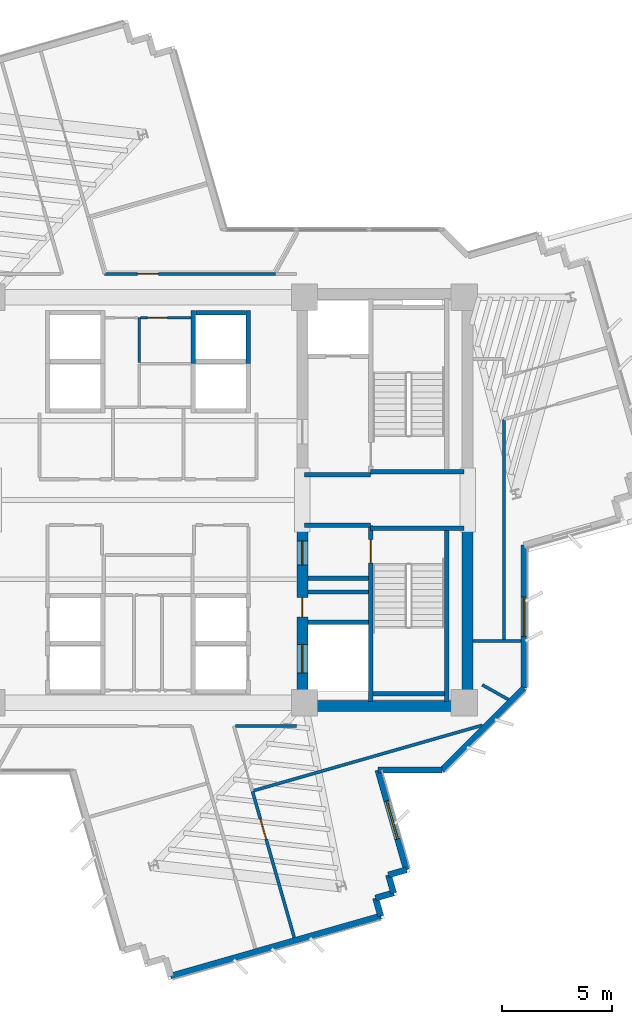
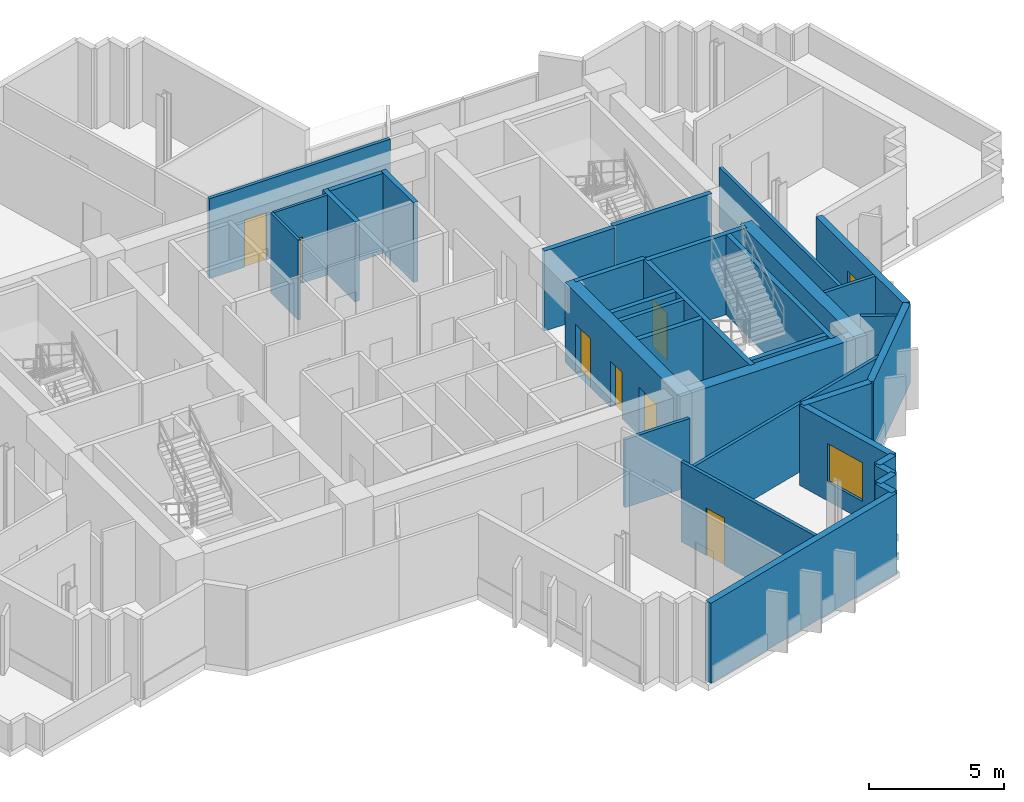
# One storey, part 9 of 14: 34 walls, 7 doors, 2 windows, 9 openings.
"""IFC4 building model written with IfcOpenShell, lengths in metres."""

from ifc_helpers import new_model, si_unit, direction, frame, frame_2d, origin, place, context, subcontext, project, spatial, rectangle, extrude, source, transform, mapped, material, layer, layer_set, type_object, element, fill, save


model = new_model("IFC4")

# Units and contexts
model_context = context("Model", 3, precision=1e-05, world=origin(), true_north=direction((0.0, 1.0)))
body_context = subcontext(model_context, "Body", "Model", "MODEL_VIEW")
ifc_project = project(units=[si_unit("LENGTHUNIT", "METRE"), si_unit("AREAUNIT", "SQUARE_METRE"), si_unit("VOLUMEUNIT", "CUBIC_METRE"), si_unit("PLANEANGLEUNIT", "RADIAN"), si_unit("MASSUNIT", "GRAM", prefix="KILO")], contexts=[model_context])

# Site, building, storey
site_placement = place(None, origin())
site = spatial("IfcSite", under=ifc_project, at=site_placement, CompositionType="ELEMENT")
building_placement = place(site_placement, origin())
building = spatial("IfcBuilding", under=site, at=building_placement, Name="Zahravan Cultural Tower", CompositionType="ELEMENT")
storey_placement = place(building_placement, frame((0.0, 0.0, 201.89990234375)))
storey = spatial("IfcBuildingStorey", under=building, at=storey_placement, Name="L47", CompositionType="ELEMENT", Elevation=201.89990234375)

# Wall, openings, doors
ifc_material_1 = material(Name="Concrete C60/75", Category="concrete")
ifc_layer_1 = layer(ifc_material_1, 0.5)
ifc_layer_set_1 = layer_set([ifc_layer_1], Name="Concrete C60/75")
wall_type_1 = type_object("IfcWallType", Name="CW-SHEAR-500-C60", PredefinedType="SHEAR", material=ifc_layer_set_1)
wall_1_placement = place(storey_placement, frame((43.0, 17.39990234375, 0.0), z_axis=(0.0, 0.0, 1.0), x_axis=(0.0, 1.0, 0.0)))
wall_1 = element("IfcWall", 1, at=wall_1_placement, inside=storey, type_object=wall_type_1, Name="L47 Core Shear Wall CW-E-WS-L47", PredefinedType="SHEAR", context=body_context, shape_type="SweptSolid", body=[
    extrude(rectangle(XDim=8.550048828125, YDim=0.5, at=frame_2d((4.27490234375, 0.0))), origin(), (0.0, 0.0, 1.0), 3.6201171875),
])
opening_1_placement = place(wall_1_placement, frame((6.64990234375, 0.0, 0.0)))
opening_1 = element("IfcOpeningElement", 2, at=opening_1_placement, cuts=wall_1, Name="Opening D-L47-08", PredefinedType="OPENING", context=body_context, shape_type="SweptSolid", body=[
    extrude(rectangle(XDim=1.10009765625, YDim=2.199951171875, at=frame_2d((0.550048828125, 1.10009765625))), frame((0.0, 0.260009765625, 0.0), z_axis=(0.0, -1.0, 0.0), x_axis=(1.0, 0.0, 0.0)), (0.0, 0.0, 1.0), 0.52001953125),
])
opening_2_placement = place(wall_1_placement, frame((1.75, 0.0, 0.0)))
opening_2 = element("IfcOpeningElement", 3, at=opening_2_placement, cuts=wall_1, Name="Opening LD-L47-03", PredefinedType="OPENING", context=body_context, shape_type="SweptSolid", body=[
    extrude(rectangle(XDim=1.300048828125, YDim=2.199951171875, at=frame_2d((0.64990234375, 1.10009765625))), frame((0.0, 0.260009765625, 0.0), z_axis=(0.0, -1.0, 0.0), x_axis=(1.0, 0.0, 0.0)), (0.0, 0.0, 1.0), 0.52001953125),
])
opening_3_placement = place(wall_1_placement, frame((4.300048828125, 0.0, 0.0)))
opening_3 = element("IfcOpeningElement", 4, at=opening_3_placement, cuts=wall_1, Name="Opening D-L47-12", PredefinedType="OPENING", context=body_context, shape_type="SweptSolid", body=[
    extrude(rectangle(XDim=0.8798828125, YDim=2.10009765625, at=frame_2d((0.43994140625, 1.050048828125))), frame((0.0, 0.260009765625, 0.0), z_axis=(0.0, -1.0, 0.0), x_axis=(1.0, 0.0, 0.0)), (0.0, 0.0, 1.0), 0.52001953125),
])
ifc_material_2 = material(Name="Steel ASTM A572 Grade 50", Category="steel")
door_type_1 = type_object("IfcDoorType", Name="DR-LOBBY-1100", OperationType="NOTDEFINED", PredefinedType="DOOR", material=ifc_material_2)
shared_shape_1 = source(origin(), body_context, "Body", "SweptSolid", [
    extrude(rectangle(XDim=1.10009765625, YDim=2.199951171875, at=frame_2d((0.550048828125, 1.10009765625))), frame((0.0, 0.02490234375, 0.0), z_axis=(0.0, -1.0, 0.0), x_axis=(1.0, 0.0, 0.0)), (0.0, 0.0, 1.0), 0.050048828125),
])
door_1_placement = place(opening_1_placement, origin())
door_1 = element("IfcDoor", 5, at=door_1_placement, inside=storey, type_object=door_type_1, Name="L47 Door D-L47-08", OperationType="SINGLE_SWING_RIGHT", OverallHeight=2.199951171875, OverallWidth=1.10009765625, PredefinedType="DOOR", context=body_context, shape_type="MappedRepresentation", body=[
    mapped(shared_shape_1, transform((0.0, 0.0, 0.0), x_axis=(1.0, 0.0, 0.0), y_axis=(0.0, 1.0, 0.0), z_axis=(0.0, 0.0, 1.0), scale=1.0)),
])
fill(opening_1, door_1)
door_type_2 = type_object("IfcDoorType", Name="DR-LIFT-1300", OperationType="DOUBLE_DOOR_SLIDING", PredefinedType="DOOR", material=ifc_material_2)
shared_shape_2 = source(origin(), body_context, "Body", "SweptSolid", [
    extrude(rectangle(XDim=1.300048828125, YDim=2.199951171875, at=frame_2d((0.64990234375, 1.10009765625))), frame((0.0, 0.02490234375, 0.0), z_axis=(0.0, -1.0, 0.0), x_axis=(1.0, 0.0, 0.0)), (0.0, 0.0, 1.0), 0.050048828125),
])
door_2_placement = place(opening_2_placement, origin())
door_2 = element("IfcDoor", 6, at=door_2_placement, inside=storey, type_object=door_type_2, Name="L47 Door LD-L47-03", OperationType="DOUBLE_DOOR_SLIDING", OverallHeight=2.199951171875, OverallWidth=1.300048828125, PredefinedType="DOOR", context=body_context, shape_type="MappedRepresentation", body=[
    mapped(shared_shape_2, transform((0.0, 0.0, 0.0), x_axis=(1.0, 0.0, 0.0), y_axis=(0.0, 1.0, 0.0), z_axis=(0.0, 0.0, 1.0), scale=1.0)),
])
fill(opening_2, door_2)
door_type_3 = type_object("IfcDoorType", Name="DR-SVC-880", OperationType="NOTDEFINED", PredefinedType="DOOR", material=ifc_material_2)
shared_shape_3 = source(origin(), body_context, "Body", "SweptSolid", [
    extrude(rectangle(XDim=0.8798828125, YDim=2.10009765625, at=frame_2d((0.43994140625, 1.050048828125))), frame((0.0, 0.02490234375, 0.0), z_axis=(0.0, -1.0, 0.0), x_axis=(1.0, 0.0, 0.0)), (0.0, 0.0, 1.0), 0.050048828125),
])
door_3_placement = place(opening_3_placement, origin())
door_3 = element("IfcDoor", 7, at=door_3_placement, inside=storey, type_object=door_type_3, Name="L47 Door D-L47-12", OperationType="SINGLE_SWING_RIGHT", OverallHeight=2.10009765625, OverallWidth=0.8798828125, PredefinedType="DOOR", context=body_context, shape_type="MappedRepresentation", body=[
    mapped(shared_shape_3, transform((0.0, 0.0, 0.0), x_axis=(1.0, 0.0, 0.0), y_axis=(0.0, 1.0, 0.0), z_axis=(0.0, 0.0, 1.0), scale=1.0)),
])
fill(opening_3, door_3)

# Wall, opening, window
ifc_material_3 = material(Name="Precast concrete C40/50", Category="concrete")
ifc_layer_2 = layer(ifc_material_3, 0.280029296875)
ifc_layer_set_2 = layer_set([ifc_layer_2], Name="Precast concrete C40/50")
wall_type_2 = type_object("IfcWallType", Name="EW-TC-280", PredefinedType="SOLIDWALL", material=ifc_layer_set_2)
wall_2_placement = place(storey_placement, frame((53.06005859375, 24.951904296875, 0.0), z_axis=(0.0, 0.0, 1.0), x_axis=(0.0, -1.0, 0.0)))
wall_2 = element("IfcWall", 8, at=wall_2_placement, inside=storey, type_object=wall_type_2, Name="L47 Exterior Masonry Frame Wall 12", PredefinedType="SOLIDWALL", context=body_context, shape_type="SweptSolid", body=[
    extrude(rectangle(XDim=6.493896484375, YDim=0.280029296875, at=frame_2d((3.2470703125, 0.0))), origin(), (0.0, 0.0, 1.0), 3.6201171875),
])
opening_4_placement = place(wall_2_placement, frame((2.346923828125, 0.0, 0.85009765625)))
opening_4 = element("IfcOpeningElement", 9, at=opening_4_placement, cuts=wall_2, Name="Opening WN-02", PredefinedType="OPENING", context=body_context, shape_type="SweptSolid", body=[
    extrude(rectangle(XDim=1.800048828125, YDim=1.75, at=frame_2d((0.89990234375, 0.875))), frame((0.0, 0.14990234375, 0.0), z_axis=(0.0, -1.0, 0.0), x_axis=(1.0, 0.0, 0.0)), (0.0, 0.0, 1.0), 0.300048828125),
])
ifc_material_4 = material(Name="Low-E solar-control double glazing", Category="glass")
window_type = type_object("IfcWindowType", Name="WN-REC-1800X1750", PartitioningType="DOUBLE_PANEL_VERTICAL", PredefinedType="WINDOW", material=ifc_material_4)
shared_shape_4 = source(origin(), body_context, "Body", "SweptSolid", [
    extrude(rectangle(XDim=1.800048828125, YDim=1.75, at=frame_2d((0.89990234375, 0.875))), frame((0.0, 0.030029296875, 0.0), z_axis=(0.0, -1.0, 0.0), x_axis=(1.0, 0.0, 0.0)), (0.0, 0.0, 1.0), 0.06005859375),
])
window_1_placement = place(opening_4_placement, origin())
window_1 = element("IfcWindow", 10, at=window_1_placement, inside=storey, type_object=window_type, Name="L47 Recessed Solar Window 02", OverallHeight=1.75, OverallWidth=1.800048828125, PartitioningType="DOUBLE_PANEL_VERTICAL", PredefinedType="WINDOW", context=body_context, shape_type="MappedRepresentation", body=[
    mapped(shared_shape_4, transform((0.0, 0.0, 0.0), x_axis=(1.0, 0.0, 0.0), y_axis=(0.0, 1.0, 0.0), z_axis=(0.0, 0.0, 1.0), scale=1.0)),
])
fill(opening_4, window_1)

wall_3_placement = place(storey_placement, frame((46.43310546875, 14.739990234375, 0.0), z_axis=(0.0, 0.0, 1.0), x_axis=(0.274981611661, -0.961449485542, 0.0)))
wall_3 = element("IfcWall", 11, at=wall_3_placement, inside=storey, type_object=wall_type_2, Name="L47 Exterior Masonry Frame Wall 15", PredefinedType="SOLIDWALL", context=body_context, shape_type="SweptSolid", body=[
    extrude(rectangle(XDim=4.703857421875, YDim=0.280029296875, at=frame_2d((2.35205078125, 0.0))), origin(), (0.0, 0.0, 1.0), 3.6201171875),
])
opening_5_placement = place(wall_3_placement, frame((1.451904296875, 0.0, 0.85009765625)))
opening_5 = element("IfcOpeningElement", 12, at=opening_5_placement, cuts=wall_3, Name="Opening WN-02", PredefinedType="OPENING", context=body_context, shape_type="SweptSolid", body=[
    extrude(rectangle(XDim=1.800048828125, YDim=1.75, at=frame_2d((0.89990234375, 0.875))), frame((0.0, 0.14990234375, 0.0), z_axis=(0.0, -1.0, 0.0), x_axis=(1.0, 0.0, 0.0)), (0.0, 0.0, 1.0), 0.300048828125),
])
window_2_placement = place(opening_5_placement, origin())
window_2 = element("IfcWindow", 13, at=window_2_placement, inside=storey, type_object=window_type, Name="L47 Recessed Solar Window 03", OverallHeight=1.75, OverallWidth=1.800048828125, PartitioningType="DOUBLE_PANEL_VERTICAL", PredefinedType="WINDOW", context=body_context, shape_type="MappedRepresentation", body=[
    mapped(shared_shape_4, transform((0.0, 0.0, 0.0), x_axis=(1.0, 0.0, 0.0), y_axis=(0.0, 1.0, 0.0), z_axis=(0.0, 0.0, 1.0), scale=1.0)),
])
fill(opening_5, window_2)

# Wall, opening, door
ifc_material_5 = material(Name="Gypsum plasterboard partition")
ifc_layer_3 = layer(ifc_material_5, 0.139892578125)
ifc_layer_set_3 = layer_set([ifc_layer_3], Name="Gypsum plasterboard partition")
wall_type_3 = type_object("IfcWallType", Name="W-PART-140", PredefinedType="PARTITIONING", material=ifc_layer_set_3)
wall_4_placement = place(storey_placement, frame((41.775390625, 37.260009765625, 0.0), z_axis=(0.0, 0.0, 1.0), x_axis=(-1.0, 0.0, 0.0)))
wall_4 = element("IfcWall", 14, at=wall_4_placement, inside=storey, type_object=wall_type_3, Name="L47 Interior Wall 092", PredefinedType="PARTITIONING", context=body_context, shape_type="SweptSolid", body=[
    extrude(rectangle(XDim=7.752685546875, YDim=0.139892578125, at=frame_2d((3.87646484375, 0.0))), origin(), (0.0, 0.0, 1.0), 3.6201171875),
])
opening_6_placement = place(wall_4_placement, frame((5.30615234375, 0.0, 0.0)))
opening_6 = element("IfcOpeningElement", 15, at=opening_6_placement, cuts=wall_4, Name="Opening D-L47-25", PredefinedType="OPENING", context=body_context, shape_type="SweptSolid", body=[
    extrude(rectangle(XDim=0.949951171875, YDim=2.14990234375, at=frame_2d((0.47509765625, 1.074951171875))), frame((0.0, 0.079833984375, 0.0), z_axis=(0.0, -1.0, 0.0), x_axis=(1.0, 0.0, 0.0)), (0.0, 0.0, 1.0), 0.159912109375),
])
ifc_material_6 = material(Name="Anodised bronze-aluminium mullion", Category="aluminium")
door_type_4 = type_object("IfcDoorType", Name="DR-ROOM-950", OperationType="NOTDEFINED", PredefinedType="DOOR", material=ifc_material_6)
shared_shape_5 = source(origin(), body_context, "Body", "SweptSolid", [
    extrude(rectangle(XDim=0.949951171875, YDim=2.14990234375, at=frame_2d((0.47509765625, 1.074951171875))), frame((0.0, 0.02490234375, 0.0), z_axis=(0.0, -1.0, 0.0), x_axis=(1.0, 0.0, 0.0)), (0.0, 0.0, 1.0), 0.050048828125),
])
door_4_placement = place(opening_6_placement, origin())
door_4 = element("IfcDoor", 16, at=door_4_placement, inside=storey, type_object=door_type_4, Name="L47 Door D-L47-25", OperationType="SINGLE_SWING_LEFT", OverallHeight=2.14990234375, OverallWidth=0.949951171875, PredefinedType="DOOR", context=body_context, shape_type="MappedRepresentation", body=[
    mapped(shared_shape_5, transform((0.0, 0.0, 0.0), x_axis=(1.0, 0.0, 0.0), y_axis=(0.0, 1.0, 0.0), z_axis=(0.0, 0.0, 1.0), scale=1.0)),
])
fill(opening_6, door_4)

wall_5_placement = place(storey_placement, frame((42.635498046875, 7.14404296875, 0.0), z_axis=(0.0, 0.0, 1.0), x_axis=(-0.274973646468, 0.96145176361, 0.0)))
wall_5 = element("IfcWall", 17, at=wall_5_placement, inside=storey, type_object=wall_type_3, Name="L47 Interior Wall 101", PredefinedType="PARTITIONING", context=body_context, shape_type="SweptSolid", body=[
    extrude(rectangle(XDim=6.895263671875, YDim=0.139892578125, at=frame_2d((3.44775390625, 0.0))), origin(), (0.0, 0.0, 1.0), 3.6201171875),
])
opening_7_placement = place(wall_5_placement, frame((4.63720703125, 0.0, 0.0)))
opening_7 = element("IfcOpeningElement", 18, at=opening_7_placement, cuts=wall_5, Name="Opening D-L47-33", PredefinedType="OPENING", context=body_context, shape_type="SweptSolid", body=[
    extrude(rectangle(XDim=0.949951171875, YDim=2.14990234375, at=frame_2d((0.47509765625, 1.074951171875))), frame((0.0, 0.079833984375, 0.0), z_axis=(0.0, -1.0, 0.0), x_axis=(1.0, 0.0, 0.0)), (0.0, 0.0, 1.0), 0.159912109375),
])
door_5_placement = place(opening_7_placement, origin())
door_5 = element("IfcDoor", 19, at=door_5_placement, inside=storey, type_object=door_type_4, Name="L47 Door D-L47-33", OperationType="SINGLE_SWING_LEFT", OverallHeight=2.14990234375, OverallWidth=0.949951171875, PredefinedType="DOOR", context=body_context, shape_type="MappedRepresentation", body=[
    mapped(shared_shape_5, transform((0.0, 0.0, 0.0), x_axis=(1.0, 0.0, 0.0), y_axis=(0.0, 1.0, 0.0), z_axis=(0.0, 0.0, 1.0), scale=1.0)),
])
fill(opening_7, door_5)

ifc_material_7 = material(Name="Concrete C45/55", Category="concrete")
ifc_layer_4 = layer(ifc_material_7, 0.199951171875)
ifc_layer_set_4 = layer_set([ifc_layer_4], Name="Concrete C45/55")
wall_type_4 = type_object("IfcWallType", Name="W-SHAFT-200", PredefinedType="SOLIDWALL", material=ifc_layer_set_4)
wall_6_placement = place(storey_placement, frame((46.10009765625, 17.85009765625, 0.0), z_axis=(0.0, 0.0, 1.0), x_axis=(0.0, 1.0, 0.0)))
wall_6 = element("IfcWall", 20, at=wall_6_placement, inside=storey, type_object=wall_type_4, Name="L47 Interior Wall 007", PredefinedType="SOLIDWALL", context=body_context, shape_type="SweptSolid", body=[
    extrude(rectangle(XDim=8.0, YDim=0.199951171875, at=frame_2d((4.0, 0.0))), origin(), (0.0, 0.0, 1.0), 3.6201171875),
])
opening_8_placement = place(wall_6_placement, frame((6.300048828125, 0.0, 0.0)))
opening_8 = element("IfcOpeningElement", 21, at=opening_8_placement, cuts=wall_6, Name="Opening D-L47-03", PredefinedType="OPENING", context=body_context, shape_type="SweptSolid", body=[
    extrude(rectangle(XDim=1.050048828125, YDim=2.14990234375, at=frame_2d((0.52490234375, 1.074951171875))), frame((0.0, 0.10986328125, 0.0), z_axis=(0.0, -1.0, 0.0), x_axis=(1.0, 0.0, 0.0)), (0.0, 0.0, 1.0), 0.219970703125),
])
door_type_5 = type_object("IfcDoorType", Name="DR-STAIR-1050", OperationType="NOTDEFINED", PredefinedType="DOOR", material=ifc_material_2)
shared_shape_6 = source(origin(), body_context, "Body", "SweptSolid", [
    extrude(rectangle(XDim=1.050048828125, YDim=2.14990234375, at=frame_2d((0.52490234375, 1.074951171875))), frame((0.0, 0.02490234375, 0.0), z_axis=(0.0, -1.0, 0.0), x_axis=(1.0, 0.0, 0.0)), (0.0, 0.0, 1.0), 0.050048828125),
])
door_6_placement = place(opening_8_placement, origin())
door_6 = element("IfcDoor", 22, at=door_6_placement, inside=storey, type_object=door_type_5, Name="L47 Door D-L47-03", OperationType="SINGLE_SWING_LEFT", OverallHeight=2.14990234375, OverallWidth=1.050048828125, PredefinedType="DOOR", context=body_context, shape_type="MappedRepresentation", body=[
    mapped(shared_shape_6, transform((0.0, 0.0, 0.0), x_axis=(1.0, 0.0, 0.0), y_axis=(0.0, 1.0, 0.0), z_axis=(0.0, 0.0, 1.0), scale=1.0)),
])
fill(opening_8, door_6)

ifc_layer_5 = layer(ifc_material_5, 0.114990234375)
ifc_layer_set_5 = layer_set([ifc_layer_5], Name="Gypsum plasterboard partition")
wall_type_5 = type_object("IfcWallType", Name="W-WC-115", PredefinedType="PARTITIONING", material=ifc_layer_set_5)
wall_7_placement = place(storey_placement, frame((35.652587890625, 35.280029296875, 0.0), z_axis=(0.0, 0.0, 1.0), x_axis=(1.0, 0.0, 0.0)))
wall_7 = element("IfcWall", 23, at=wall_7_placement, inside=storey, type_object=wall_type_5, Name="L47 Interior Wall 061", PredefinedType="PARTITIONING", context=body_context, shape_type="SweptSolid", body=[
    extrude(rectangle(XDim=2.29248046875, YDim=0.114990234375, at=frame_2d((1.146240234375, 0.0))), origin(), (0.0, 0.0, 1.0), 3.6201171875),
])
opening_9_placement = place(wall_7_placement, frame((0.3203125, 0.0, 0.0)))
opening_9 = element("IfcOpeningElement", 24, at=opening_9_placement, cuts=wall_7, Name="Opening D-L47-16", PredefinedType="OPENING", context=body_context, shape_type="SweptSolid", body=[
    extrude(rectangle(XDim=0.89990234375, YDim=2.10009765625, at=frame_2d((0.449951171875, 1.050048828125))), frame((0.0, 0.0673828125, 0.0), z_axis=(0.0, -1.0, 0.0), x_axis=(1.0, 0.0, 0.0)), (0.0, 0.0, 1.0), 0.135009765625),
])
door_type_6 = type_object("IfcDoorType", Name="DR-WC-900", OperationType="NOTDEFINED", PredefinedType="DOOR", material=ifc_material_6)
shared_shape_7 = source(origin(), body_context, "Body", "SweptSolid", [
    extrude(rectangle(XDim=0.89990234375, YDim=2.10009765625, at=frame_2d((0.449951171875, 1.050048828125))), frame((0.0, 0.02490234375, 0.0), z_axis=(0.0, -1.0, 0.0), x_axis=(1.0, 0.0, 0.0)), (0.0, 0.0, 1.0), 0.050048828125),
])
door_7_placement = place(opening_9_placement, origin())
door_7 = element("IfcDoor", 25, at=door_7_placement, inside=storey, type_object=door_type_6, Name="L47 Door D-L47-16", OperationType="SINGLE_SWING_RIGHT", OverallHeight=2.10009765625, OverallWidth=0.89990234375, PredefinedType="DOOR", context=body_context, shape_type="MappedRepresentation", body=[
    mapped(shared_shape_7, transform((0.0, 0.0, 0.0), x_axis=(1.0, 0.0, 0.0), y_axis=(0.0, 1.0, 0.0), z_axis=(0.0, 0.0, 1.0), scale=1.0)),
])
fill(opening_9, door_7)

# Walls
shared_shape_8 = source(origin(), body_context, "Body", "SweptSolid", [
    extrude(rectangle(XDim=8.550048828125, YDim=0.5, at=frame_2d((4.27490234375, 0.0))), origin(), (0.0, 0.0, 1.0), 3.6201171875),
])
wall_8_placement = place(storey_placement, frame((50.5, 17.39990234375, 0.0), z_axis=(0.0, 0.0, 1.0), x_axis=(0.0, 1.0, 0.0)))
element("IfcWall", 26, at=wall_8_placement, inside=storey, type_object=wall_type_1, Name="L47 Core Shear Wall CW-E-ES-L47", PredefinedType="SHEAR", context=body_context, shape_type="MappedRepresentation", body=[
    mapped(shared_shape_8, transform((0.0, 0.0, 0.0), x_axis=(1.0, 0.0, 0.0), y_axis=(0.0, 1.0, 0.0), z_axis=(0.0, 0.0, 1.0), scale=1.0)),
])
shared_shape_9 = source(origin(), body_context, "Body", "SweptSolid", [
    extrude(rectangle(XDim=7.0, YDim=0.5, at=frame_2d((3.5, 0.0))), origin(), (0.0, 0.0, 1.0), 3.6201171875),
])
wall_9_placement = place(storey_placement, frame((43.25, 17.64990234375, 0.0), z_axis=(0.0, 0.0, 1.0), x_axis=(1.0, 0.0, 0.0)))
element("IfcWall", 27, at=wall_9_placement, inside=storey, type_object=wall_type_1, Name="L47 Core Shear Wall CW-E-S-L47", PredefinedType="SHEAR", context=body_context, shape_type="MappedRepresentation", body=[
    mapped(shared_shape_9, transform((0.0, 0.0, 0.0), x_axis=(1.0, 0.0, 0.0), y_axis=(0.0, 1.0, 0.0), z_axis=(0.0, 0.0, 1.0), scale=1.0)),
])
shared_shape_10 = source(origin(), body_context, "Body", "SweptSolid", [
    extrude(rectangle(XDim=0.85009765625, YDim=0.280029296875, at=frame_2d((0.425048828125, 0.0))), origin(), (0.0, 0.0, 1.0), 3.6201171875),
])
for number, where, z_axis, x_axis, name in (
    (28, (46.909423828125, 9.98388671875, 0.0), (0.0, 0.0, 1.0), (0.274834915789, -0.961491429532, 0.0), "L47 Exterior Masonry Frame Wall 17"),
    (29, (46.325927734375, 8.932861328125, 0.0), (0.0, 0.0, 1.0), (0.274834915789, -0.961491429532, 0.0), "L47 Exterior Masonry Frame Wall 19"),
):
    element("IfcWall", number, at=place(storey_placement, frame(where, z_axis=z_axis, x_axis=x_axis)), inside=storey, type_object=wall_type_2, Name=name, PredefinedType="SOLIDWALL", context=body_context, shape_type="MappedRepresentation", body=[
        mapped(shared_shape_10, transform((0.0, 0.0, 0.0), x_axis=(1.0, 0.0, 0.0), y_axis=(0.0, 1.0, 0.0), z_axis=(0.0, 0.0, 1.0), scale=1.0)),
    ])
shared_shape_11 = source(origin(), body_context, "Body", "SweptSolid", [
    extrude(rectangle(XDim=5.258056640625, YDim=0.280029296875, at=frame_2d((2.62890625, 0.0))), origin(), (0.0, 0.0, 1.0), 3.6201171875),
])
wall_10_placement = place(storey_placement, frame((53.06005859375, 18.4580078125, 0.0), z_axis=(0.0, 0.0, 1.0), x_axis=(-0.707106781187, -0.707106781187, 0.0)))
element("IfcWall", 30, at=wall_10_placement, inside=storey, type_object=wall_type_2, Name="L47 Exterior Masonry Frame Wall 13", PredefinedType="SOLIDWALL", context=body_context, shape_type="MappedRepresentation", body=[
    mapped(shared_shape_11, transform((0.0, 0.0, 0.0), x_axis=(1.0, 0.0, 0.0), y_axis=(0.0, 1.0, 0.0), z_axis=(0.0, 0.0, 1.0), scale=1.0)),
])
shared_shape_12 = source(origin(), body_context, "Body", "SweptSolid", [
    extrude(rectangle(XDim=0.849853515625, YDim=0.280029296875, at=frame_2d((0.4248046875, 0.0))), origin(), (0.0, 0.0, 1.0), 3.6201171875),
])
for number, where, z_axis, x_axis, name in (
    (31, (47.7265625, 10.217529296875, 0.0), (0.0, 0.0, 1.0), (-0.961469728335, -0.274910824624, 0.0), "L47 Exterior Masonry Frame Wall 16"),
    (32, (47.14306640625, 9.16650390625, 0.0), (0.0, 0.0, 1.0), (-0.961469728335, -0.274910824624, 0.0), "L47 Exterior Masonry Frame Wall 18"),
):
    element("IfcWall", number, at=place(storey_placement, frame(where, z_axis=z_axis, x_axis=x_axis)), inside=storey, type_object=wall_type_2, Name=name, PredefinedType="SOLIDWALL", context=body_context, shape_type="MappedRepresentation", body=[
        mapped(shared_shape_12, transform((0.0, 0.0, 0.0), x_axis=(1.0, 0.0, 0.0), y_axis=(0.0, 1.0, 0.0), z_axis=(0.0, 0.0, 1.0), scale=1.0)),
    ])
shared_shape_13 = source(origin(), body_context, "Body", "SweptSolid", [
    extrude(rectangle(XDim=9.919921875, YDim=0.280029296875, at=frame_2d((4.9599609375, 0.0))), origin(), (0.0, 0.0, 1.0), 3.6201171875),
])
wall_11_placement = place(storey_placement, frame((46.5595703125, 8.115478515625, 0.0), z_axis=(0.0, 0.0, 1.0), x_axis=(-0.961457051276, -0.274955157346, 0.0)))
element("IfcWall", 33, at=wall_11_placement, inside=storey, type_object=wall_type_2, Name="L47 Exterior Masonry Frame Wall 20", PredefinedType="SOLIDWALL", context=body_context, shape_type="MappedRepresentation", body=[
    mapped(shared_shape_13, transform((0.0, 0.0, 0.0), x_axis=(1.0, 0.0, 0.0), y_axis=(0.0, 1.0, 0.0), z_axis=(0.0, 0.0, 1.0), scale=1.0)),
])
shared_shape_14 = source(origin(), body_context, "Body", "SweptSolid", [
    extrude(rectangle(XDim=2.908935546875, YDim=0.280029296875, at=frame_2d((1.45458984375, 0.0))), origin(), (0.0, 0.0, 1.0), 3.6201171875),
])
wall_12_placement = place(storey_placement, frame((49.342041015625, 14.739990234375, 0.0), z_axis=(0.0, 0.0, 1.0), x_axis=(-1.0, 0.0, 0.0)))
element("IfcWall", 34, at=wall_12_placement, inside=storey, type_object=wall_type_2, Name="L47 Exterior Masonry Frame Wall 14", PredefinedType="SOLIDWALL", context=body_context, shape_type="MappedRepresentation", body=[
    mapped(shared_shape_14, transform((0.0, 0.0, 0.0), x_axis=(1.0, 0.0, 0.0), y_axis=(0.0, 1.0, 0.0), z_axis=(0.0, 0.0, 1.0), scale=1.0)),
])
shared_shape_15 = source(origin(), body_context, "Body", "SweptSolid", [
    extrude(rectangle(XDim=7.869873046875, YDim=0.199951171875, at=frame_2d((3.93505859375, 0.0))), origin(), (0.0, 0.0, 1.0), 3.6201171875),
])
wall_13_placement = place(storey_placement, frame((49.550048828125, 17.85009765625, 0.0), z_axis=(0.0, 0.0, 1.0), x_axis=(0.0, 1.0, 0.0)))
element("IfcWall", 35, at=wall_13_placement, inside=storey, type_object=wall_type_4, Name="L47 Interior Wall 003", PredefinedType="SOLIDWALL", context=body_context, shape_type="MappedRepresentation", body=[
    mapped(shared_shape_15, transform((0.0, 0.0, 0.0), x_axis=(1.0, 0.0, 0.0), y_axis=(0.0, 1.0, 0.0), z_axis=(0.0, 0.0, 1.0), scale=1.0)),
])
shared_shape_16 = source(origin(), body_context, "Body", "SweptSolid", [
    extrude(rectangle(XDim=4.25, YDim=0.199951171875, at=frame_2d((2.125, 0.0))), origin(), (0.0, 0.0, 1.0), 3.6201171875),
])
for number, where, z_axis, x_axis, name in (
    (36, (46.10009765625, 25.715087890625, 0.0), (0.0, 0.0, 1.0), (1.0, 0.0, 0.0), "L47 Interior Wall 014"),
    (37, (46.10009765625, 28.284912109375, 0.0), (0.0, 0.0, 1.0), (1.0, 0.0, 0.0), "L47 Interior Wall 016"),
):
    element("IfcWall", number, at=place(storey_placement, frame(where, z_axis=z_axis, x_axis=x_axis)), inside=storey, type_object=wall_type_4, Name=name, PredefinedType="SOLIDWALL", context=body_context, shape_type="MappedRepresentation", body=[
        mapped(shared_shape_16, transform((0.0, 0.0, 0.0), x_axis=(1.0, 0.0, 0.0), y_axis=(0.0, 1.0, 0.0), z_axis=(0.0, 0.0, 1.0), scale=1.0)),
    ])
shared_shape_17 = source(origin(), body_context, "Body", "SweptSolid", [
    extrude(rectangle(XDim=3.0, YDim=0.199951171875, at=frame_2d((1.5, 0.0))), origin(), (0.0, 0.0, 1.0), 3.6201171875),
])
for number, where, z_axis, x_axis, name in (
    (38, (43.10009765625, 25.85009765625, 0.0), (0.0, 0.0, 1.0), (1.0, 0.0, 0.0), "L47 Interior Wall 013"),
    (39, (43.10009765625, 28.14990234375, 0.0), (0.0, 0.0, 1.0), (1.0, 0.0, 0.0), "L47 Interior Wall 015"),
):
    element("IfcWall", number, at=place(storey_placement, frame(where, z_axis=z_axis, x_axis=x_axis)), inside=storey, type_object=wall_type_4, Name=name, PredefinedType="SOLIDWALL", context=body_context, shape_type="MappedRepresentation", body=[
        mapped(shared_shape_17, transform((0.0, 0.0, 0.0), x_axis=(1.0, 0.0, 0.0), y_axis=(0.0, 1.0, 0.0), z_axis=(0.0, 0.0, 1.0), scale=1.0)),
    ])
shared_shape_18 = source(origin(), body_context, "Body", "SweptSolid", [
    extrude(rectangle(XDim=3.25, YDim=0.199951171875, at=frame_2d((1.625, 0.0))), origin(), (0.0, 0.0, 1.0), 3.6201171875),
])
wall_14_placement = place(storey_placement, frame((46.199951171875, 18.199951171875, 0.0), z_axis=(0.0, 0.0, 1.0), x_axis=(1.0, 0.0, 0.0)))
element("IfcWall", 40, at=wall_14_placement, inside=storey, type_object=wall_type_4, Name="L47 Interior Wall 020", PredefinedType="SOLIDWALL", context=body_context, shape_type="MappedRepresentation", body=[
    mapped(shared_shape_18, transform((0.0, 0.0, 0.0), x_axis=(1.0, 0.0, 0.0), y_axis=(0.0, 1.0, 0.0), z_axis=(0.0, 0.0, 1.0), scale=1.0)),
])
shared_shape_19 = source(origin(), body_context, "Body", "SweptSolid", [
    extrude(rectangle(XDim=2.75, YDim=0.199951171875, at=frame_2d((1.375, 0.0))), origin(), (0.0, 0.0, 1.0), 3.6201171875),
])
for number, where, z_axis, x_axis, name in (
    (41, (43.25, 23.449951171875, 0.0), (0.0, 0.0, 1.0), (1.0, 0.0, 0.0), "L47 Interior Wall 024"),
    (42, (43.25, 21.449951171875, 0.0), (0.0, 0.0, 1.0), (1.0, 0.0, 0.0), "L47 Interior Wall 025"),
):
    element("IfcWall", number, at=place(storey_placement, frame(where, z_axis=z_axis, x_axis=x_axis)), inside=storey, type_object=wall_type_4, Name=name, PredefinedType="SOLIDWALL", context=body_context, shape_type="MappedRepresentation", body=[
        mapped(shared_shape_19, transform((0.0, 0.0, 0.0), x_axis=(1.0, 0.0, 0.0), y_axis=(0.0, 1.0, 0.0), z_axis=(0.0, 0.0, 1.0), scale=1.0)),
    ])
ifc_layer_6 = layer(ifc_material_5, 0.179931640625)
ifc_layer_set_6 = layer_set([ifc_layer_6], Name="Gypsum plasterboard partition")
wall_type_6 = type_object("IfcWallType", Name="W-COMP-180", PredefinedType="PARTITIONING", material=ifc_layer_set_6)
shared_shape_20 = source(origin(), body_context, "Body", "SweptSolid", [
    extrude(rectangle(XDim=2.75, YDim=0.179931640625, at=frame_2d((1.375, 0.0))), origin(), (0.0, 0.0, 1.0), 3.6201171875),
])
wall_15_placement = place(storey_placement, frame((43.25, 22.820068359375, 0.0), z_axis=(0.0, 0.0, 1.0), x_axis=(1.0, 0.0, 0.0)))
element("IfcWall", 43, at=wall_15_placement, inside=storey, type_object=wall_type_6, Name="L47 Interior Wall 028", PredefinedType="PARTITIONING", context=body_context, shape_type="MappedRepresentation", body=[
    mapped(shared_shape_20, transform((0.0, 0.0, 0.0), x_axis=(1.0, 0.0, 0.0), y_axis=(0.0, 1.0, 0.0), z_axis=(0.0, 0.0, 1.0), scale=1.0)),
])
shared_shape_21 = source(origin(), body_context, "Body", "SweptSolid", [
    extrude(rectangle(XDim=2.400146484375, YDim=0.199951171875, at=frame_2d((1.2001953125, 0.0))), origin(), (0.0, 0.0, 1.0), 3.6201171875),
])
for number, where, z_axis, x_axis, name in (
    (44, (38.050048828125, 33.199951171875, 0.0), (0.0, 0.0, 1.0), (0.0, 1.0, 0.0), "L47 Interior Wall 036"),
    (45, (40.550048828125, 33.199951171875, 0.0), (0.0, 0.0, 1.0), (0.0, 1.0, 0.0), "L47 Interior Wall 037"),
):
    element("IfcWall", number, at=place(storey_placement, frame(where, z_axis=z_axis, x_axis=x_axis)), inside=storey, type_object=wall_type_4, Name=name, PredefinedType="SOLIDWALL", context=body_context, shape_type="MappedRepresentation", body=[
        mapped(shared_shape_21, transform((0.0, 0.0, 0.0), x_axis=(1.0, 0.0, 0.0), y_axis=(0.0, 1.0, 0.0), z_axis=(0.0, 0.0, 1.0), scale=1.0)),
    ])
shared_shape_22 = source(origin(), body_context, "Body", "SweptSolid", [
    extrude(rectangle(XDim=2.260009765625, YDim=0.199951171875, at=frame_2d((1.1298828125, 0.0))), origin(), (0.0, 0.0, 1.0), 3.6201171875),
])
wall_16_placement = place(storey_placement, frame((38.169921875, 35.5, 0.0), z_axis=(0.0, 0.0, 1.0), x_axis=(1.0, 0.0, 0.0)))
element("IfcWall", 46, at=wall_16_placement, inside=storey, type_object=wall_type_4, Name="L47 Interior Wall 039", PredefinedType="SOLIDWALL", context=body_context, shape_type="MappedRepresentation", body=[
    mapped(shared_shape_22, transform((0.0, 0.0, 0.0), x_axis=(1.0, 0.0, 0.0), y_axis=(0.0, 1.0, 0.0), z_axis=(0.0, 0.0, 1.0), scale=1.0)),
])
shared_shape_23 = source(origin(), body_context, "Body", "SweptSolid", [
    extrude(rectangle(XDim=2.0400390625, YDim=0.114990234375, at=frame_2d((1.02001953125, 0.0))), origin(), (0.0, 0.0, 1.0), 3.6201171875),
])
wall_17_placement = place(storey_placement, frame((35.590087890625, 33.239990234375, 0.0), z_axis=(0.0, 0.0, 1.0), x_axis=(0.0, 1.0, 0.0)))
element("IfcWall", 47, at=wall_17_placement, inside=storey, type_object=wall_type_5, Name="L47 Interior Wall 060", PredefinedType="PARTITIONING", context=body_context, shape_type="MappedRepresentation", body=[
    mapped(shared_shape_23, transform((0.0, 0.0, 0.0), x_axis=(1.0, 0.0, 0.0), y_axis=(0.0, 1.0, 0.0), z_axis=(0.0, 0.0, 1.0), scale=1.0)),
])
shared_shape_24 = source(origin(), body_context, "Body", "SweptSolid", [
    extrude(rectangle(XDim=2.1650390625, YDim=0.139892578125, at=frame_2d((1.08251953125, 0.0))), origin(), (0.0, 0.0, 1.0), 3.6201171875),
])
wall_18_placement = place(storey_placement, frame((50.7548828125, 20.60009765625, 0.0), z_axis=(0.0, 0.0, 1.0), x_axis=(1.0, 0.0, 0.0)))
element("IfcWall", 48, at=wall_18_placement, inside=storey, type_object=wall_type_3, Name="L47 Interior Wall 108", PredefinedType="PARTITIONING", context=body_context, shape_type="MappedRepresentation", body=[
    mapped(shared_shape_24, transform((0.0, 0.0, 0.0), x_axis=(1.0, 0.0, 0.0), y_axis=(0.0, 1.0, 0.0), z_axis=(0.0, 0.0, 1.0), scale=1.0)),
])
shared_shape_25 = source(origin(), body_context, "Body", "SweptSolid", [
    extrude(rectangle(XDim=2.777587890625, YDim=0.139892578125, at=frame_2d((1.388671875, 0.0))), origin(), (0.0, 0.0, 1.0), 3.0791015625),
])
wall_19_placement = place(storey_placement, frame((39.968994140625, 16.739990234375, 0.0), z_axis=(0.0, 0.0, 1.0), x_axis=(0.999999903427, 0.000439483125, 0.0)))
element("IfcWall", 49, at=wall_19_placement, inside=storey, type_object=wall_type_3, Name="L47 Interior Wall 089", PredefinedType="PARTITIONING", context=body_context, shape_type="MappedRepresentation", body=[
    mapped(shared_shape_25, transform((0.0, 0.0, 0.0), x_axis=(1.0, 0.0, 0.0), y_axis=(0.0, 1.0, 0.0), z_axis=(0.0, 0.0, 1.0), scale=1.0)),
])
shared_shape_26 = source(origin(), body_context, "Body", "SweptSolid", [
    extrude(rectangle(XDim=1.34765625, YDim=0.139892578125, at=frame_2d((0.673828125, 0.0))), origin(), (0.0, 0.0, 1.0), 3.6201171875),
])
wall_20_placement = place(storey_placement, frame((51.169921875, 18.60791015625, 0.0), z_axis=(0.0, 0.0, 1.0), x_axis=(0.872029904913, -0.489452597232, 0.0)))
element("IfcWall", 50, at=wall_20_placement, inside=storey, type_object=wall_type_3, Name="L47 Interior Wall 090", PredefinedType="PARTITIONING", context=body_context, shape_type="MappedRepresentation", body=[
    mapped(shared_shape_26, transform((0.0, 0.0, 0.0), x_axis=(1.0, 0.0, 0.0), y_axis=(0.0, 1.0, 0.0), z_axis=(0.0, 0.0, 1.0), scale=1.0)),
])
shared_shape_27 = source(origin(), body_context, "Body", "SweptSolid", [
    extrude(rectangle(XDim=10.785400390625, YDim=0.139892578125, at=frame_2d((5.392578125, 0.0))), origin(), (0.0, 0.0, 1.0), 3.0791015625),
])
wall_21_placement = place(storey_placement, frame((51.17578125, 16.77880859375, 0.0), z_axis=(0.0, 0.0, 1.0), x_axis=(-0.961454726908, -0.274963285016, 0.0)))
element("IfcWall", 51, at=wall_21_placement, inside=storey, type_object=wall_type_3, Name="L47 Interior Wall 091", PredefinedType="PARTITIONING", context=body_context, shape_type="MappedRepresentation", body=[
    mapped(shared_shape_27, transform((0.0, 0.0, 0.0), x_axis=(1.0, 0.0, 0.0), y_axis=(0.0, 1.0, 0.0), z_axis=(0.0, 0.0, 1.0), scale=1.0)),
])
shared_shape_28 = source(origin(), body_context, "Body", "SweptSolid", [
    extrude(rectangle(XDim=9.98681640625, YDim=0.139892578125, at=frame_2d((4.993408203125, 0.0))), origin(), (0.0, 0.0, 1.0), 2.693115234375),
])
wall_22_placement = place(storey_placement, frame((52.149658203125, 20.675048828125, 0.0), z_axis=(0.0, 0.0, 1.0), x_axis=(2.4446291e-05, 0.999999999701, 0.0)))
element("IfcWall", 52, at=wall_22_placement, inside=storey, type_object=wall_type_3, Name="L47 Interior Wall 109", PredefinedType="PARTITIONING", context=body_context, shape_type="MappedRepresentation", body=[
    mapped(shared_shape_28, transform((0.0, 0.0, 0.0), x_axis=(1.0, 0.0, 0.0), y_axis=(0.0, 1.0, 0.0), z_axis=(0.0, 0.0, 1.0), scale=1.0)),
])

save(model, "model.ifc")
